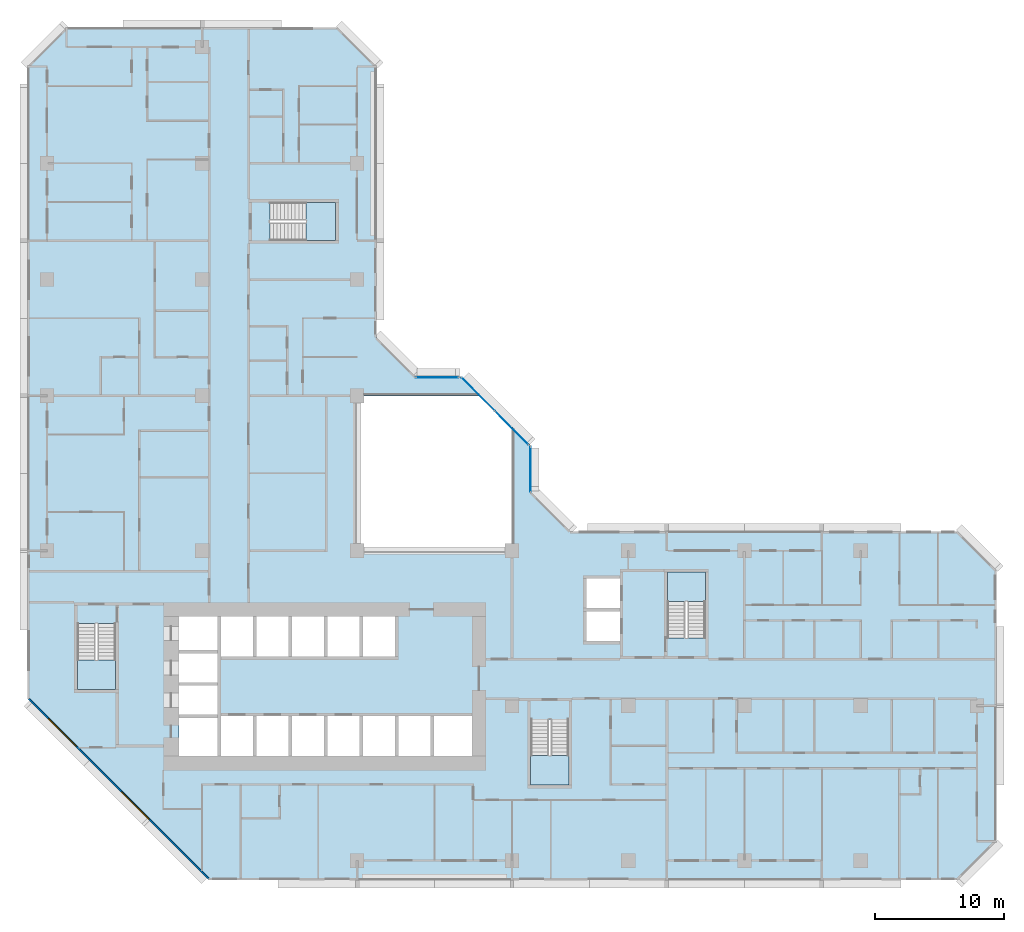
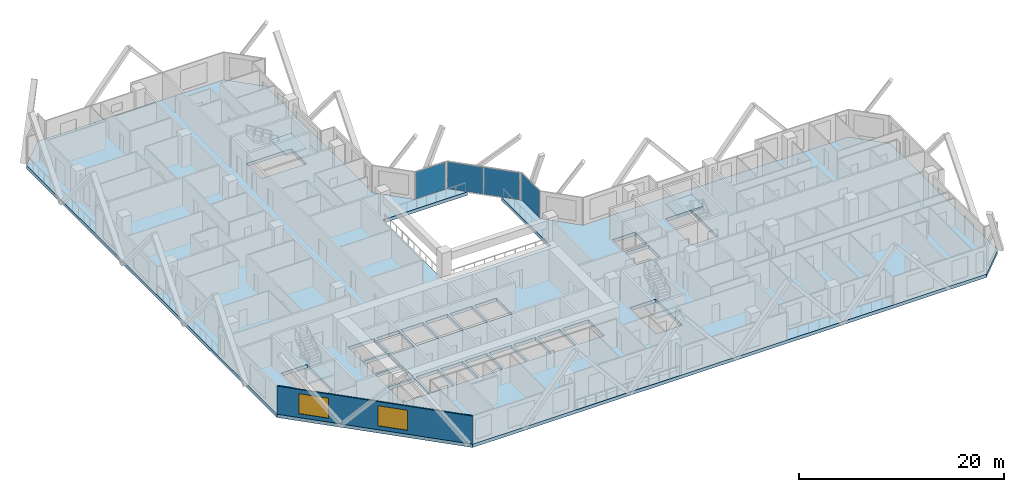
# One storey, part 3 of 16: 5 slabs, 4 plates, 2 windows, 1 wall, 2 openings, 7 elements without a shape of their own.
"""IFC4 building model written with IfcOpenShell, lengths in metres."""

from ifc_helpers import new_model, si_unit, direction, frame, frame_2d, origin, origin_2d, place, context, subcontext, project, spatial, polyline, rectangle, outline, extrude, material, layer, layer_set, type_object, element, fill, aggregate, save


model = new_model("IFC4")

# Units and contexts
model_context = context("Model", 3, precision=1e-05, world=origin(), true_north=direction((0.0, 1.0)))
body_context = subcontext(model_context, "Body", "Model", "MODEL_VIEW")
ifc_project = project(units=[si_unit("LENGTHUNIT", "METRE"), si_unit("AREAUNIT", "SQUARE_METRE"), si_unit("VOLUMEUNIT", "CUBIC_METRE"), si_unit("PLANEANGLEUNIT", "RADIAN"), si_unit("MASSUNIT", "GRAM", prefix="KILO")], contexts=[model_context])

# Site, building, storey
site_placement = place(None, origin())
site = spatial("IfcSite", under=ifc_project, at=site_placement, CompositionType="ELEMENT")
building_placement = place(site_placement, origin())
building = spatial("IfcBuilding", under=site, at=building_placement, Name="Chenar Terraces", CompositionType="ELEMENT")
storey_placement = place(building_placement, frame((0.0, 0.0, 78.89990234375)))
storey = spatial("IfcBuildingStorey", under=building, at=storey_placement, Name="L17", CompositionType="ELEMENT", Elevation=78.89990234375)

# Curtain wall, plate
ifc_material_1 = material(Name="Aluminium framed glazing", Category="aluminium")
ifc_layer_1 = layer(ifc_material_1, 0.14990234375)
ifc_layer_set_1 = layer_set([ifc_layer_1], Name="Aluminium framed glazing")
curtain_wall_type = type_object("IfcCurtainWallType", Name="Atrium curtain wall", PredefinedType="NOTDEFINED", material=ifc_layer_set_1)
placement_1 = place(storey_placement, origin())
curtain_wall_1 = element("IfcCurtainWall", 1, at=placement_1, inside=storey, type_object=curtain_wall_type, Name="Atrium curtain wall", PredefinedType="NOTDEFINED")
ifc_material_2 = material(Name="Low emissivity laminated glass, solar control coating", Category="glass")
ifc_layer_2 = layer(ifc_material_2, 0.028076171875)
ifc_layer_set_2 = layer_set([ifc_layer_2], Name="Low emissivity laminated glass, solar control coating")
plate_type = type_object("IfcPlateType", Name="Atrium glazing panel 28", PredefinedType="CURTAIN_PANEL", material=ifc_layer_set_2)
plate_1_placement = place(storey_placement, frame((37.425048828125, 30.300048828125, 0.06005859375), z_axis=(0.0, 0.0, 1.0), x_axis=(0.0, 1.0, 0.0)))
plate_1 = element("IfcPlate", 2, at=plate_1_placement, type_object=plate_type, Name="CW1-1 panel 1.1", PredefinedType="CURTAIN_PANEL", context=body_context, shape_type="SweptSolid", body=[
    extrude(rectangle(XDim=3.47998046875, YDim=0.028076171875, at=origin_2d()), origin(), (0.0, 0.0, 1.0), 3.22998046875),
])
aggregate(curtain_wall_1, [plate_1])

# Curtain wall, plates
curtain_wall_2 = element("IfcCurtainWall", 3, at=placement_1, inside=storey, type_object=curtain_wall_type, Name="Atrium curtain wall", PredefinedType="NOTDEFINED")
plate_2_placement = place(storey_placement, frame((35.980224609375, 33.513671875, 0.06005859375), z_axis=(0.0, 0.0, 1.0), x_axis=(-0.707106781187, 0.707106781187, 0.0)))
plate_2 = element("IfcPlate", 4, at=plate_2_placement, type_object=plate_type, Name="CW1-2 panel 1.1", PredefinedType="CURTAIN_PANEL", context=body_context, shape_type="SweptSolid", body=[
    extrude(rectangle(XDim=3.62841796875, YDim=0.028076171875, at=origin_2d()), origin(), (0.0, 0.0, 1.0), 3.22998046875),
])
plate_3_placement = place(storey_placement, frame((33.3720703125, 36.121826171875, 0.06005859375), z_axis=(0.0, 0.0, 1.0), x_axis=(-0.707106781187, 0.707106781187, 0.0)))
plate_3 = element("IfcPlate", 5, at=plate_3_placement, type_object=plate_type, Name="CW1-2 panel 2.1", PredefinedType="CURTAIN_PANEL", context=body_context, shape_type="SweptSolid", body=[
    extrude(rectangle(XDim=3.62841796875, YDim=0.028076171875, at=origin_2d()), origin(), (0.0, 0.0, 1.0), 3.22998046875),
])
aggregate(curtain_wall_2, [plate_2, plate_3])

# Curtain wall, plate
curtain_wall_3 = element("IfcCurtainWall", 6, at=placement_1, inside=storey, type_object=curtain_wall_type, Name="Atrium curtain wall", PredefinedType="NOTDEFINED")
plate_4_placement = place(storey_placement, frame((30.199951171875, 37.425048828125, 0.06005859375), z_axis=(0.0, 0.0, 1.0), x_axis=(-1.0, 0.0, 0.0)))
plate_4 = element("IfcPlate", 7, at=plate_4_placement, type_object=plate_type, Name="CW1-3 panel 1.1", PredefinedType="CURTAIN_PANEL", context=body_context, shape_type="SweptSolid", body=[
    extrude(rectangle(XDim=3.280029296875, YDim=0.028076171875, at=origin_2d()), origin(), (0.0, 0.0, 1.0), 3.22998046875),
])
aggregate(curtain_wall_3, [plate_4])

# Stair, slab
ifc_material_3 = material(Name="Reinforced concrete C40/50", Category="concrete")
stair_type = type_object("IfcStairType", Name="Core stair 1400 half-turn", PredefinedType="HALF_TURN_STAIR", material=ifc_material_3)
stair_1 = element("IfcStair", 8, at=placement_1, inside=storey, type_object=stair_type, Name="L17 Stair 1", PredefinedType="HALF_TURN_STAIR")
ifc_material_4 = material(Name="Reinforced concrete C40/50", Category="concrete")
ifc_layer_3 = layer(ifc_material_4, 0.199951171875)
ifc_layer_set_3 = layer_set([ifc_layer_3], Name="Reinforced concrete C40/50")
slab_type_1 = type_object("IfcSlabType", Name="Core stair landing 200", PredefinedType="LANDING", material=ifc_layer_set_3)
placement_2 = place(storey_placement, frame((0.0, 0.0, 1.675048828125)))
slab_1 = element("IfcSlab", 9, at=placement_2, type_object=slab_type_1, Name="ST1 landing 1", PredefinedType="LANDING", context=body_context, shape_type="SweptSolid", body=[
    extrude(outline(polyline([(2.35009765625, 15.550048828125), (2.35009765625, 13.25), (5.300048828125, 13.25), (5.300048828125, 15.550048828125), (2.35009765625, 15.550048828125)])), origin(), (0.0, 0.0, 1.0), 0.199951171875),
])
aggregate(stair_1, [slab_1])

stair_2 = element("IfcStair", 10, at=placement_1, inside=storey, type_object=stair_type, Name="L17 Stair 2", PredefinedType="HALF_TURN_STAIR")
slab_2 = element("IfcSlab", 11, at=placement_2, type_object=slab_type_1, Name="ST2 landing 1", PredefinedType="LANDING", context=body_context, shape_type="SweptSolid", body=[
    extrude(outline(polyline([(37.449951171875, 8.14990234375), (37.449951171875, 5.85009765625), (40.39990234375, 5.85009765625), (40.39990234375, 8.14990234375), (37.449951171875, 8.14990234375)])), origin(), (0.0, 0.0, 1.0), 0.199951171875),
])
aggregate(stair_2, [slab_2])

stair_3 = element("IfcStair", 12, at=placement_1, inside=storey, type_object=stair_type, Name="L17 Stair 3", PredefinedType="HALF_TURN_STAIR")
slab_3 = element("IfcSlab", 13, at=placement_2, type_object=slab_type_1, Name="ST3 landing 1", PredefinedType="LANDING", context=body_context, shape_type="SweptSolid", body=[
    extrude(outline(polyline([(50.97509765625, 20.050048828125), (50.97509765625, 22.35009765625), (48.02490234375, 22.35009765625), (48.02490234375, 20.050048828125), (50.97509765625, 20.050048828125)])), origin(), (0.0, 0.0, 1.0), 0.199951171875),
])
aggregate(stair_3, [slab_3])

stair_4 = element("IfcStair", 14, at=placement_1, inside=storey, type_object=stair_type, Name="L17 Stair 4", PredefinedType="HALF_TURN_STAIR")
slab_4 = element("IfcSlab", 15, at=placement_2, type_object=slab_type_1, Name="ST4 landing 1", PredefinedType="LANDING", context=body_context, shape_type="SweptSolid", body=[
    extrude(outline(polyline([(20.050048828125, 48.02490234375), (22.35009765625, 48.02490234375), (22.35009765625, 50.97509765625), (20.050048828125, 50.97509765625), (20.050048828125, 48.02490234375)])), origin(), (0.0, 0.0, 1.0), 0.199951171875),
])
aggregate(stair_4, [slab_4])

# Slab
ifc_material_5 = material(Name="Concrete C40/50", Category="concrete")
ifc_layer_4 = layer(ifc_material_5, 0.39990234375)
ifc_layer_set_4 = layer_set([ifc_layer_4], Name="Concrete C40/50")
slab_type_2 = type_object("IfcSlabType", Name="Floor slab 400 Concrete C40/50", PredefinedType="FLOOR", material=ifc_layer_set_4)
slab_5_placement = place(storey_placement, frame((0.0, 0.0, -0.39990234375)))
element("IfcSlab", 16, at=slab_5_placement, inside=storey, type_object=slab_type_2, Name="Floor slab L17", PredefinedType="FLOOR", context=body_context, shape_type="SweptSolid", body=[
    extrude(outline(polyline([(73.5, 22.5), (73.5, 1.5), (70.5, -1.5), (12.5, -1.5), (-1.5, 12.5), (-1.5, 61.5), (1.5, 64.5), (22.5, 64.5), (25.5, 61.5), (25.5, 40.5), (28.5, 37.5), (32.10009765625, 37.5), (33.60009765625, 36.0), (24.0, 36.0), (24.0, 24.0), (36.0, 24.0), (36.0, 33.60009765625), (37.5, 32.10009765625), (37.5, 28.5), (40.5, 25.5), (70.5, 25.5), (73.5, 22.5)]), holes=[polyline([(13.199951171875, 11.050048828125), (10.199951171875, 11.050048828125), (10.199951171875, 8.10009765625), (13.199951171875, 8.10009765625), (13.199951171875, 11.050048828125)]), polyline([(15.949951171875, 11.199951171875), (13.449951171875, 11.199951171875), (13.449951171875, 8.10009765625), (15.949951171875, 8.10009765625), (15.949951171875, 11.199951171875)]), polyline([(18.699951171875, 11.199951171875), (16.199951171875, 11.199951171875), (16.199951171875, 8.10009765625), (18.699951171875, 8.10009765625), (18.699951171875, 11.199951171875)]), polyline([(21.449951171875, 8.10009765625), (21.449951171875, 11.199951171875), (18.949951171875, 11.199951171875), (18.949951171875, 8.10009765625), (21.449951171875, 8.10009765625)]), polyline([(13.199951171875, 11.300048828125), (13.199951171875, 13.550048828125), (10.199951171875, 13.550048828125), (10.199951171875, 11.300048828125), (13.199951171875, 11.300048828125)]), polyline([(13.199951171875, 16.050048828125), (10.199951171875, 16.050048828125), (10.199951171875, 13.800048828125), (13.199951171875, 13.800048828125), (13.199951171875, 16.050048828125)]), polyline([(2.35009765625, 18.35009765625), (2.35009765625, 13.25), (5.300048828125, 13.25), (5.300048828125, 18.35009765625), (2.35009765625, 18.35009765625)]), polyline([(15.949951171875, 15.800048828125), (15.949951171875, 18.89990234375), (13.449951171875, 18.89990234375), (13.449951171875, 15.800048828125), (15.949951171875, 15.800048828125)]), polyline([(18.699951171875, 18.89990234375), (16.199951171875, 18.89990234375), (16.199951171875, 15.800048828125), (18.699951171875, 15.800048828125), (18.699951171875, 18.89990234375)]), polyline([(21.449951171875, 15.800048828125), (21.449951171875, 18.89990234375), (18.949951171875, 18.89990234375), (18.949951171875, 15.800048828125), (21.449951171875, 15.800048828125)]), polyline([(13.199951171875, 16.300048828125), (13.199951171875, 18.89990234375), (10.199951171875, 18.89990234375), (10.199951171875, 16.300048828125), (13.199951171875, 16.300048828125)]), polyline([(22.35009765625, 48.02490234375), (22.35009765625, 50.97509765625), (17.25, 50.97509765625), (17.25, 48.02490234375), (22.35009765625, 48.02490234375)]), polyline([(37.449951171875, 10.949951171875), (37.449951171875, 5.85009765625), (40.39990234375, 5.85009765625), (40.39990234375, 10.949951171875), (37.449951171875, 10.949951171875)]), polyline([(24.199951171875, 8.10009765625), (24.199951171875, 11.199951171875), (21.699951171875, 11.199951171875), (21.699951171875, 8.10009765625), (24.199951171875, 8.10009765625)]), polyline([(26.949951171875, 11.199951171875), (24.449951171875, 11.199951171875), (24.449951171875, 8.10009765625), (26.949951171875, 8.10009765625), (26.949951171875, 11.199951171875)]), polyline([(29.699951171875, 8.10009765625), (29.699951171875, 11.199951171875), (27.199951171875, 11.199951171875), (27.199951171875, 8.10009765625), (29.699951171875, 8.10009765625)]), polyline([(32.89990234375, 8.10009765625), (32.89990234375, 11.199951171875), (29.949951171875, 11.199951171875), (29.949951171875, 8.10009765625), (32.89990234375, 8.10009765625)]), polyline([(24.199951171875, 18.89990234375), (21.699951171875, 18.89990234375), (21.699951171875, 15.800048828125), (24.199951171875, 15.800048828125), (24.199951171875, 18.89990234375)]), polyline([(26.949951171875, 15.800048828125), (26.949951171875, 18.89990234375), (24.449951171875, 18.89990234375), (24.449951171875, 15.800048828125), (26.949951171875, 15.800048828125)]), polyline([(44.35009765625, 17.0), (44.35009765625, 19.300048828125), (41.75, 19.300048828125), (41.75, 17.0), (44.35009765625, 17.0)]), polyline([(50.97509765625, 22.35009765625), (48.02490234375, 22.35009765625), (48.02490234375, 17.25), (50.97509765625, 17.25), (50.97509765625, 22.35009765625)]), polyline([(44.35009765625, 19.550048828125), (44.35009765625, 21.85009765625), (41.75, 21.85009765625), (41.75, 19.550048828125), (44.35009765625, 19.550048828125)])]), origin(), (0.0, 0.0, 1.0), 0.39990234375),
])

# Wall, openings, windows
ifc_material_6 = material(Name="Terracotta cladding on insulated backing", Category="masonry")
ifc_layer_5 = layer(ifc_material_6, 0.14990234375)
ifc_layer_set_5 = layer_set([ifc_layer_5], Name="Terracotta cladding on insulated backing")
wall_type = type_object("IfcWallType", Name="Terracotta rainscreen wall 150", PredefinedType="SOLIDWALL", material=ifc_layer_set_5)
wall_placement = place(storey_placement, frame((-1.447021484375, 12.552978515625, 0.0), z_axis=(0.0, 0.0, 1.0), x_axis=(0.707106781187, -0.707106781187, 0.0)))
wall = element("IfcWall", 17, at=wall_placement, inside=storey, type_object=wall_type, Name="Terracotta rainscreen wall", PredefinedType="SOLIDWALL", context=body_context, shape_type="SweptSolid", body=[
    extrude(rectangle(XDim=19.799072265625, YDim=0.14990234375, at=frame_2d((9.8994140625, 0.0))), origin(), (0.0, 0.0, 1.0), 3.35009765625),
])
opening_1_placement = place(wall_placement, frame((2.21240234375, 0.0, 0.449951171875)))
opening_1 = element("IfcOpeningElement", 18, at=opening_1_placement, cuts=wall, Name="Opening W300x240", PredefinedType="OPENING", context=body_context, shape_type="SweptSolid", body=[
    extrude(rectangle(XDim=3.0, YDim=2.39990234375, at=frame_2d((1.5, 1.199951171875))), frame((0.0, 0.0849609375, 0.0), z_axis=(0.0, -1.0, 0.0), x_axis=(1.0, 0.0, 0.0)), (0.0, 0.0, 1.0), 0.169921875),
])
opening_2_placement = place(wall_placement, frame((10.215576171875, 0.0, 0.449951171875)))
opening_2 = element("IfcOpeningElement", 19, at=opening_2_placement, cuts=wall, Name="Opening W300x240", PredefinedType="OPENING", context=body_context, shape_type="SweptSolid", body=[
    extrude(rectangle(XDim=3.0, YDim=2.39990234375, at=frame_2d((1.5, 1.199951171875))), frame((0.0, 0.0849609375, 0.0), z_axis=(0.0, -1.0, 0.0), x_axis=(1.0, 0.0, 0.0)), (0.0, 0.0, 1.0), 0.169921875),
])
ifc_material_7 = material(Name="Low emissivity double glazing, aluminium frame", Category="aluminium")
window_type = type_object("IfcWindowType", Name="Fixed light 3000 x 2400", PartitioningType="SINGLE_PANEL", PredefinedType="WINDOW", material=ifc_material_7)
window_1_placement = place(opening_1_placement, origin())
window_1 = element("IfcWindow", 20, at=window_1_placement, inside=storey, type_object=window_type, Name="Window", OverallHeight=2.39990234375, OverallWidth=3.0, PartitioningType="SINGLE_PANEL", PredefinedType="WINDOW", context=body_context, shape_type="SweptSolid", body=[
    extrude(rectangle(XDim=3.0, YDim=2.39990234375, at=frame_2d((1.5, 1.199951171875))), frame((0.0, 0.030029296875, 0.0), z_axis=(0.0, -1.0, 0.0), x_axis=(1.0, 0.0, 0.0)), (0.0, 0.0, 1.0), 0.06005859375),
])
fill(opening_1, window_1)
window_2_placement = place(opening_2_placement, origin())
window_2 = element("IfcWindow", 21, at=window_2_placement, inside=storey, type_object=window_type, Name="Window", OverallHeight=2.39990234375, OverallWidth=3.0, PartitioningType="SINGLE_PANEL", PredefinedType="WINDOW", context=body_context, shape_type="SweptSolid", body=[
    extrude(rectangle(XDim=3.0, YDim=2.39990234375, at=frame_2d((1.5, 1.199951171875))), frame((0.0, 0.030029296875, 0.0), z_axis=(0.0, -1.0, 0.0), x_axis=(1.0, 0.0, 0.0)), (0.0, 0.0, 1.0), 0.06005859375),
])
fill(opening_2, window_2)

save(model, "model.ifc")
